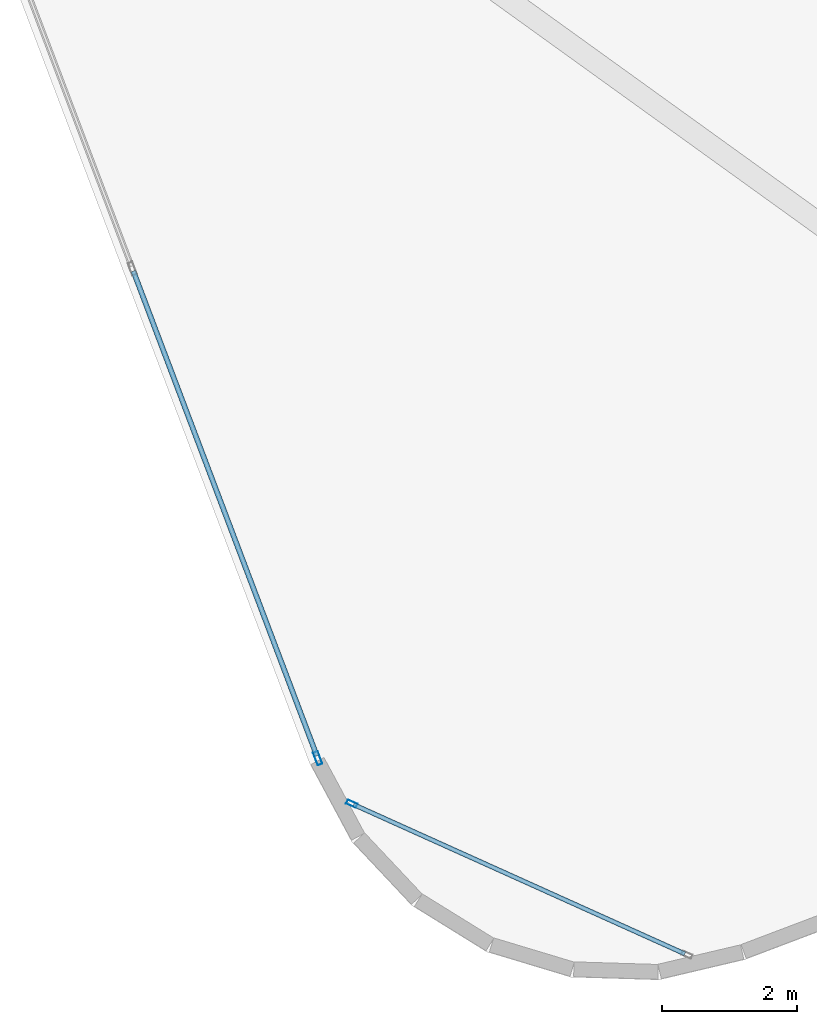
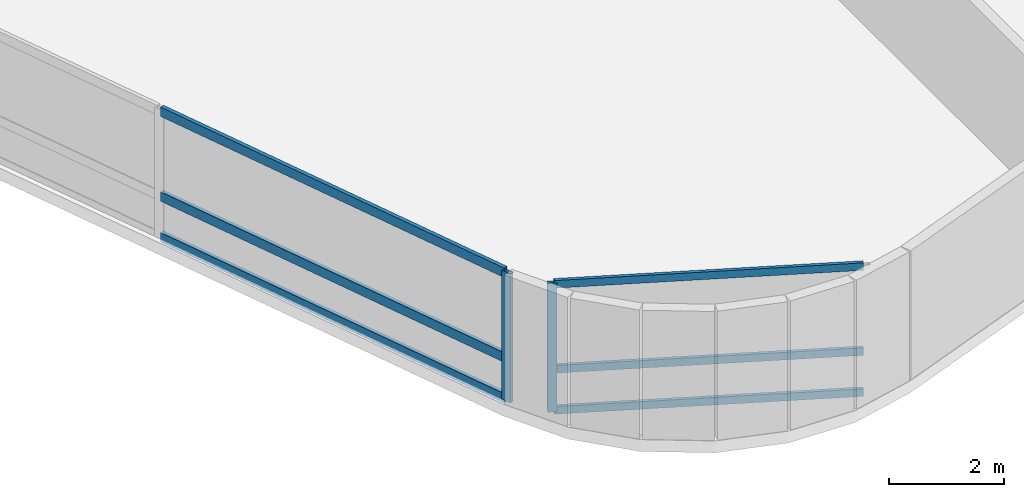
# One storey, part 3 of 24: 8 members, 2 elements without a shape of their own.
"""IFC4 building model written with IfcOpenShell, lengths in metres."""

from ifc_helpers import new_model, si_unit, direction, frame, origin, origin_2d, place, context, subcontext, project, spatial, hollow_rectangle, extrude, material, layer, layer_set, material_profile, profile_set, type_object, element, aggregate, save


model = new_model("IFC4")

# Units and contexts
model_context = context("Model", 3, precision=1e-05, world=origin(), true_north=direction((0.0, 1.0)))
body_context = subcontext(model_context, "Body", "Model", "MODEL_VIEW")
ifc_project = project(units=[si_unit("LENGTHUNIT", "METRE"), si_unit("AREAUNIT", "SQUARE_METRE"), si_unit("VOLUMEUNIT", "CUBIC_METRE"), si_unit("PLANEANGLEUNIT", "RADIAN"), si_unit("MASSUNIT", "GRAM", prefix="KILO")], contexts=[model_context])

# Site, building, storey
site_placement = place(None, origin())
site = spatial("IfcSite", under=ifc_project, at=site_placement, CompositionType="ELEMENT")
building_placement = place(site_placement, origin())
building = spatial("IfcBuilding", under=site, at=building_placement, Name="Varnelok Gate Tower", CompositionType="ELEMENT")
storey_placement = place(building_placement, frame((0.0, 0.0, 242.300048828125)))
storey = spatial("IfcBuildingStorey", under=building, at=storey_placement, Name="L62", CompositionType="ELEMENT", Elevation=242.300048828125)

# Curtain wall, member
ifc_material = material(Name="Anodized Aluminum Alloy 6063-T6", Category="aluminium")
ifc_layer_1 = layer(ifc_material, 0.179931640625)
ifc_layer_set_1 = layer_set([ifc_layer_1], Name="Anodized Aluminum Alloy 6063-T6")
curtain_wall_type_1 = type_object("IfcCurtainWallType", Name="CW5-WINDCORNER-GLAZ", PredefinedType="USERDEFINED", material=ifc_layer_set_1)
curtain_wall_1_placement = place(storey_placement, origin())
curtain_wall_1 = element("IfcCurtainWall", 1, at=curtain_wall_1_placement, inside=storey, type_object=curtain_wall_type_1, Name="L62 Wind-Shaped Corner Curtain Wall SW", ObjectType="STRUCTURAL GLAZING", PredefinedType="USERDEFINED")
ifc_material_profile_1 = material_profile(ifc_material, hollow_rectangle(XDim=0.06494140625, YDim=0.159912109375, WallThickness=0.00390625, at=origin_2d()), Name="ALU160X65X4")
ifc_profile_set_1 = profile_set([ifc_material_profile_1], Name="Anodized Aluminum Alloy 6063-T6")
member_type_1 = type_object("IfcMemberType", Name="CW-MULL-160", PredefinedType="MULLION", material=ifc_profile_set_1)
member_1_placement = place(storey_placement, frame((14.39013671875, -1.599853515625, 0.0), z_axis=(0.0, 0.0, 1.0), x_axis=(0.410939058285, 0.911662816164, 0.0)))
member_1 = element("IfcMember", 2, at=member_1_placement, type_object=member_type_1, Name="CW5 mullion 1", PredefinedType="MULLION", context=body_context, shape_type="SweptSolid", body=[
    extrude(hollow_rectangle(XDim=0.06494140625, YDim=0.159912109375, WallThickness=0.00390625, at=origin_2d()), origin(), (0.0, 0.0, 1.0), 2.72998046875),
])

ifc_layer_2 = layer(ifc_material, 0.179931640625)
ifc_layer_set_2 = layer_set([ifc_layer_2], Name="Anodized Aluminum Alloy 6063-T6")
curtain_wall_type_2 = type_object("IfcCurtainWallType", Name="CW4-RESIDENCE-VISION", PredefinedType="USERDEFINED", material=ifc_layer_set_2)
curtain_wall_2_placement = place(storey_placement, origin())
curtain_wall_2 = element("IfcCurtainWall", 3, at=curtain_wall_2_placement, inside=storey, type_object=curtain_wall_type_2, Name="L62 West End Vision Curtain Wall", ObjectType="UNITISED CURTAIN WALL", PredefinedType="USERDEFINED")
ifc_material_profile_2 = material_profile(ifc_material, hollow_rectangle(XDim=0.074951171875, YDim=0.199951171875, WallThickness=0.00390625, at=origin_2d()), Name="ALU200X75X4")
ifc_profile_set_2 = profile_set([ifc_material_profile_2], Name="Anodized Aluminum Alloy 6063-T6")
member_type_2 = type_object("IfcMemberType", Name="CW-MULL-200", PredefinedType="MULLION", material=ifc_profile_set_2)
member_2_placement = place(storey_placement, frame((13.88525390625, -0.92431640625, 0.0), z_axis=(0.0, 0.0, 1.0), x_axis=(-0.935221557832, -0.354063042079, 0.0)))
member_2 = element("IfcMember", 4, at=member_2_placement, type_object=member_type_2, Name="CW4 mullion 1", PredefinedType="MULLION", context=body_context, shape_type="SweptSolid", body=[
    extrude(hollow_rectangle(XDim=0.074951171875, YDim=0.199951171875, WallThickness=0.00390625, at=origin_2d()), origin(), (0.0, 0.0, 1.0), 2.72998046875),
])

# Member
ifc_material_profile_3 = material_profile(ifc_material, hollow_rectangle(XDim=0.06494140625, YDim=0.159912109375, WallThickness=0.00390625, at=origin_2d()), Name="ALU160X65X4")
ifc_profile_set_3 = profile_set([ifc_material_profile_3], Name="Anodized Aluminum Alloy 6063-T6")
member_type_3 = type_object("IfcMemberType", Name="CW-TRAN-160", PredefinedType="USERDEFINED", material=ifc_profile_set_3)
member_3_placement = place(storey_placement, frame((14.419677734375, -1.613037109375, 0.032470703125), z_axis=(0.911658364324, -0.41094893449, 0.0), x_axis=(0.41094893449, 0.911658364324, 0.0)))
member_3 = element("IfcMember", 5, at=member_3_placement, type_object=member_type_3, Name="CW5 transom 1.1", ObjectType="TRANSOM", PredefinedType="USERDEFINED", context=body_context, shape_type="SweptSolid", body=[
    extrude(hollow_rectangle(XDim=0.06494140625, YDim=0.159912109375, WallThickness=0.00390625, at=origin_2d()), origin(), (0.0, 0.0, 1.0), 5.385498046875),
])

member_4_placement = place(storey_placement, frame((14.419677734375, -1.613037109375, 0.89990234375), z_axis=(0.911658364324, -0.41094893449, 0.0), x_axis=(0.41094893449, 0.911658364324, 0.0)))
member_4 = element("IfcMember", 6, at=member_4_placement, type_object=member_type_3, Name="CW5 transom 1.2", ObjectType="TRANSOM", PredefinedType="USERDEFINED", context=body_context, shape_type="SweptSolid", body=[
    extrude(hollow_rectangle(XDim=0.06494140625, YDim=0.159912109375, WallThickness=0.00390625, at=origin_2d()), origin(), (0.0, 0.0, 1.0), 5.385498046875),
])

member_5_placement = place(storey_placement, frame((14.419677734375, -1.613037109375, 2.697509765625), z_axis=(0.911658364324, -0.41094893449, 0.0), x_axis=(0.41094893449, 0.911658364324, 0.0)))
member_5 = element("IfcMember", 7, at=member_5_placement, type_object=member_type_3, Name="CW5 transom 1.3", ObjectType="TRANSOM", PredefinedType="USERDEFINED", context=body_context, shape_type="SweptSolid", body=[
    extrude(hollow_rectangle(XDim=0.06494140625, YDim=0.159912109375, WallThickness=0.00390625, at=origin_2d()), origin(), (0.0, 0.0, 1.0), 5.385498046875),
])

aggregate(curtain_wall_1, [member_1, member_3, member_4, member_5])

ifc_material_profile_4 = material_profile(ifc_material, hollow_rectangle(XDim=0.074951171875, YDim=0.199951171875, WallThickness=0.00390625, at=origin_2d()), Name="ALU200X75X4")
ifc_profile_set_4 = profile_set([ifc_material_profile_4], Name="Anodized Aluminum Alloy 6063-T6")
member_type_4 = type_object("IfcMemberType", Name="CW-TRAN-200", PredefinedType="USERDEFINED", material=ifc_profile_set_4)
member_6_placement = place(storey_placement, frame((13.871826171875, -0.88916015625, 0.037353515625), z_axis=(-0.354045264669, 0.935228287941, 0.0), x_axis=(-0.935228287941, -0.354045264669, 0.0)))
member_6 = element("IfcMember", 8, at=member_6_placement, type_object=member_type_4, Name="CW4 transom 1.1", ObjectType="TRANSOM", PredefinedType="USERDEFINED", context=body_context, shape_type="SweptSolid", body=[
    extrude(hollow_rectangle(XDim=0.074951171875, YDim=0.199951171875, WallThickness=0.00390625, at=origin_2d()), origin(), (0.0, 0.0, 1.0), 7.687255859375),
])

member_7_placement = place(storey_placement, frame((13.871826171875, -0.88916015625, 0.89990234375), z_axis=(-0.354045264669, 0.935228287941, 0.0), x_axis=(-0.935228287941, -0.354045264669, 0.0)))
member_7 = element("IfcMember", 9, at=member_7_placement, type_object=member_type_4, Name="CW4 transom 1.2", ObjectType="TRANSOM", PredefinedType="USERDEFINED", context=body_context, shape_type="SweptSolid", body=[
    extrude(hollow_rectangle(XDim=0.074951171875, YDim=0.199951171875, WallThickness=0.00390625, at=origin_2d()), origin(), (0.0, 0.0, 1.0), 7.687255859375),
])

member_8_placement = place(storey_placement, frame((13.871826171875, -0.88916015625, 2.6923828125), z_axis=(-0.354045264669, 0.935228287941, 0.0), x_axis=(-0.935228287941, -0.354045264669, 0.0)))
member_8 = element("IfcMember", 10, at=member_8_placement, type_object=member_type_4, Name="CW4 transom 1.3", ObjectType="TRANSOM", PredefinedType="USERDEFINED", context=body_context, shape_type="SweptSolid", body=[
    extrude(hollow_rectangle(XDim=0.074951171875, YDim=0.199951171875, WallThickness=0.00390625, at=origin_2d()), origin(), (0.0, 0.0, 1.0), 7.687255859375),
])

aggregate(curtain_wall_2, [member_2, member_6, member_7, member_8])

save(model, "model.ifc")
